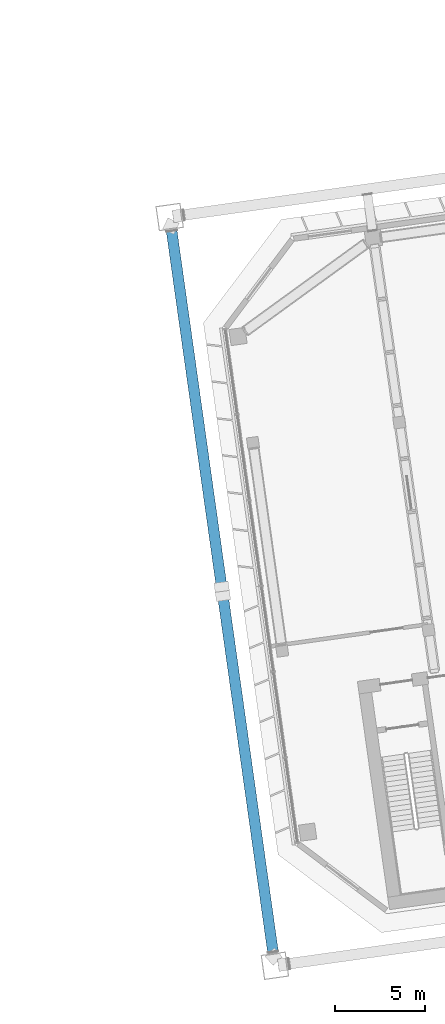
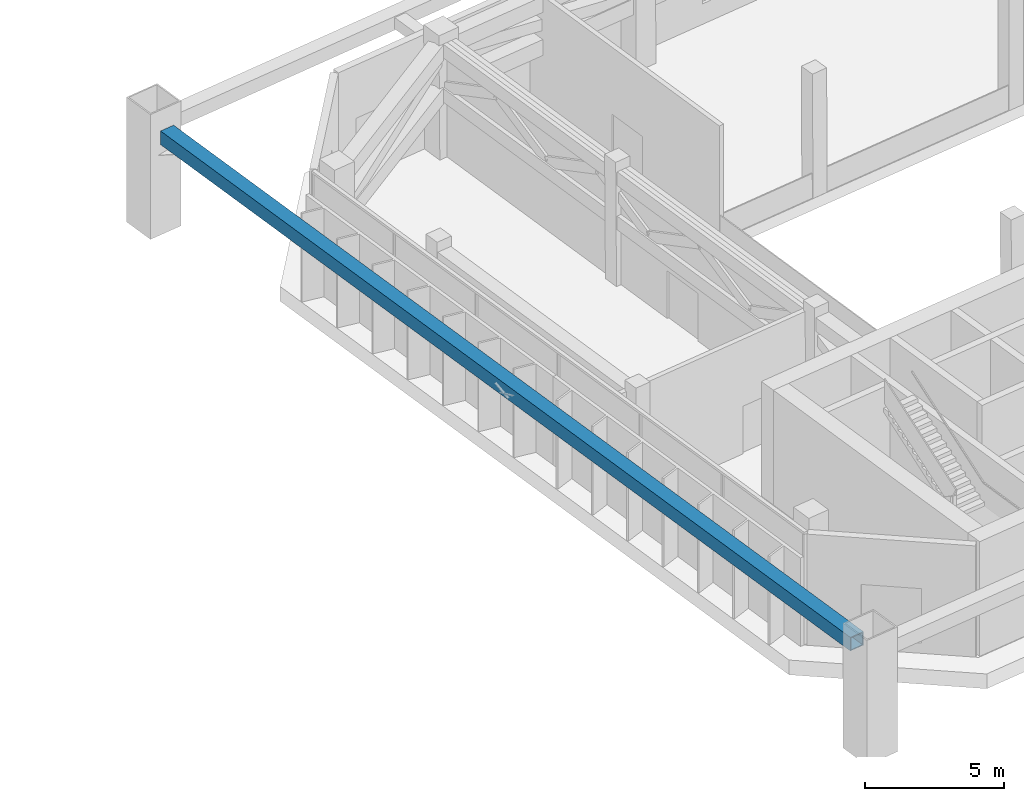
# One storey, part 10 of 41: 1 member.
"""IFC4 building model written with IfcOpenShell, lengths in metres."""

from ifc_helpers import new_model, si_unit, direction, frame, origin, origin_2d, place, context, subcontext, project, spatial, hollow_rectangle, extrude, material, material_profile, profile_set, type_object, element, save


model = new_model("IFC4")

# Units and contexts
model_context = context("Model", 3, precision=1e-05, world=origin(), true_north=direction((0.0, 1.0)))
body_context = subcontext(model_context, "Body", "Model", "MODEL_VIEW")
ifc_project = project(units=[si_unit("LENGTHUNIT", "METRE"), si_unit("AREAUNIT", "SQUARE_METRE"), si_unit("VOLUMEUNIT", "CUBIC_METRE"), si_unit("PLANEANGLEUNIT", "RADIAN"), si_unit("MASSUNIT", "GRAM", prefix="KILO")], contexts=[model_context])

# Site, building, storey
site_placement = place(None, origin())
site = spatial("IfcSite", under=ifc_project, at=site_placement, CompositionType="ELEMENT")
building_placement = place(site_placement, origin())
building = spatial("IfcBuilding", under=site, at=building_placement, Name="Mirante Cascada Hotel Towers", CompositionType="ELEMENT")
storey_placement = place(building_placement, frame((0.0, 0.0, 151.9)))
storey = spatial("IfcBuildingStorey", under=building, at=storey_placement, Name="L35", CompositionType="ELEMENT", Elevation=151.9)

# Member
ifc_material = material(Name="Steel ASTM A572 Gr 50", Category="steel")
ifc_material_profile = material_profile(ifc_material, hollow_rectangle(XDim=0.6, YDim=0.6, WallThickness=0.04, at=origin_2d()), Name="Box chord 600x600x40 ASTM A572 Gr 50")
ifc_profile_set = profile_set([ifc_material_profile], Name="Steel ASTM A572 Gr 50")
member_type = type_object("IfcMemberType", Name="Box chord 600x600x40 ASTM A572 Gr 50", PredefinedType="CHORD", material=ifc_profile_set)
member_placement = place(storey_placement, frame((30.7982, -22.3065, 4.35), z_axis=(-0.1391742, 0.9902679, 0.0), x_axis=(-0.9902679, -0.1391742, 0.0)))
element("IfcMember", 1, at=member_placement, inside=storey, type_object=member_type, Name="exochord T2 L35 3", PredefinedType="CHORD", context=body_context, shape_type="SweptSolid", body=[
    extrude(hollow_rectangle(XDim=0.6, YDim=0.6, WallThickness=0.04, at=origin_2d()), origin(), (0.0, 0.0, 1.0), 40.44),
])

save(model, "model.ifc")
